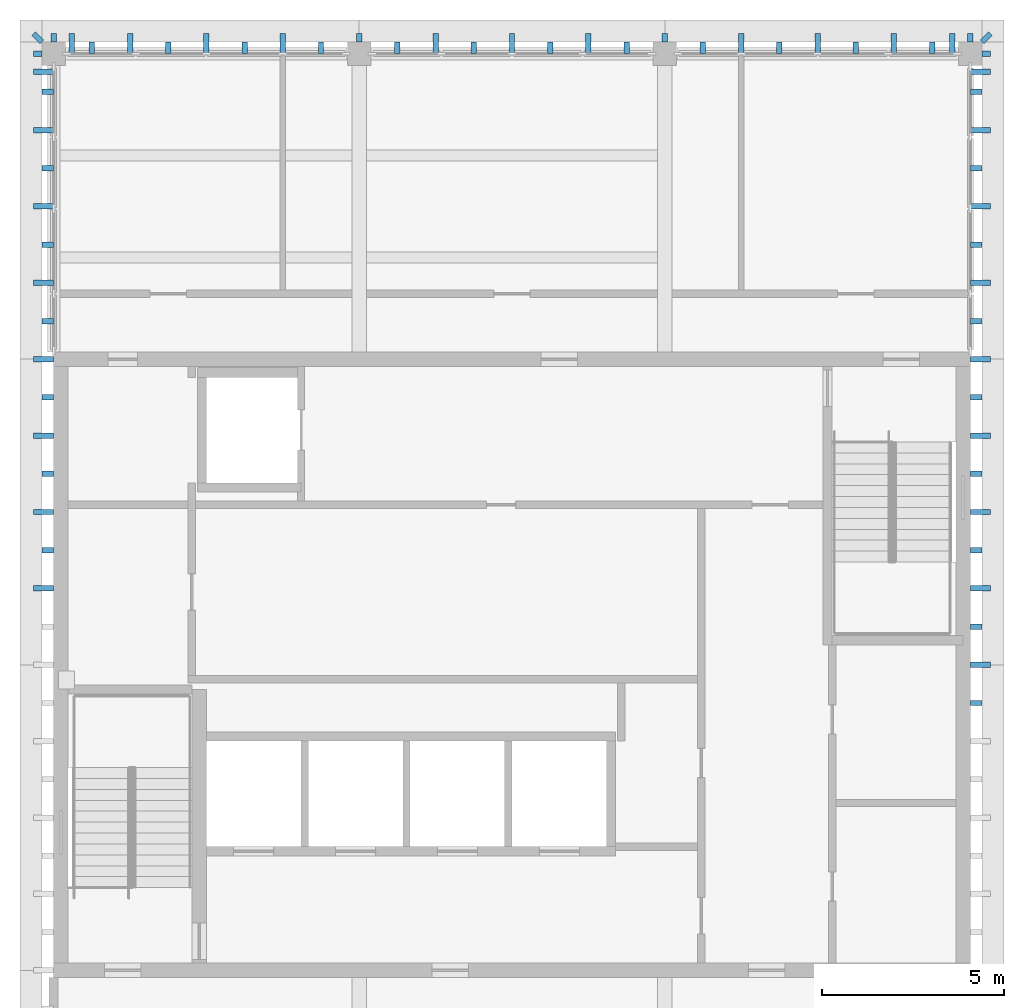
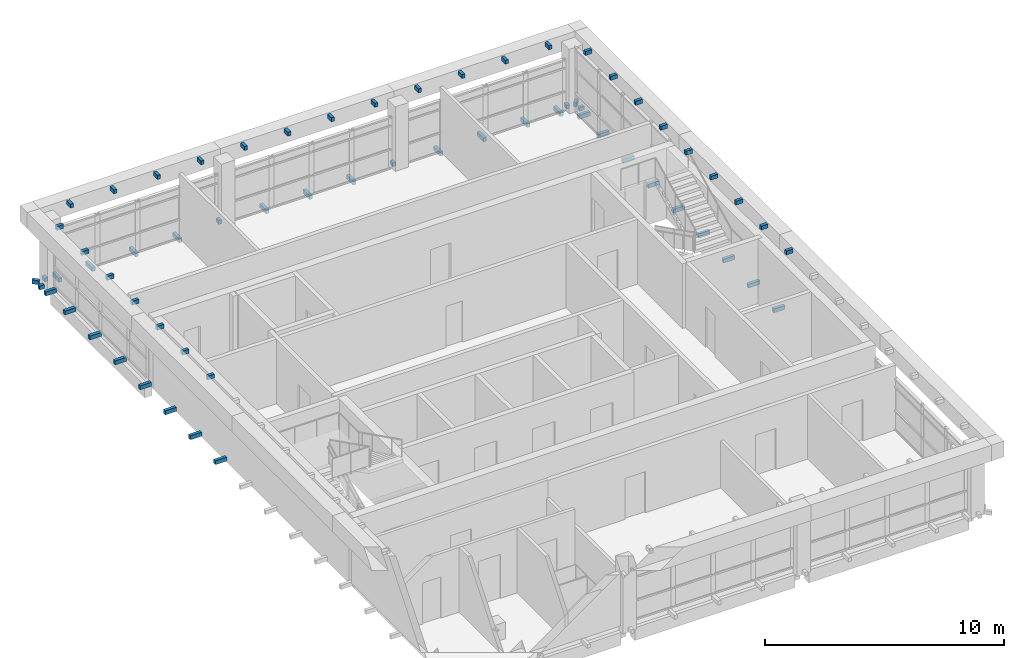
# One storey, part 8 of 10: 64 discrete accessories.
"""IFC4 building model written with IfcOpenShell, lengths in metres."""

from ifc_helpers import new_model, si_unit, direction, frame, origin, origin_2d, place, context, subcontext, project, spatial, rectangle, extrude, material, type_object, element, save


model = new_model("IFC4")

# Units and contexts
model_context = context("Model", 3, precision=1e-05, world=origin(), true_north=direction((0.0, 1.0)))
body_context = subcontext(model_context, "Body", "Model", "MODEL_VIEW")
ifc_project = project(units=[si_unit("LENGTHUNIT", "METRE"), si_unit("AREAUNIT", "SQUARE_METRE"), si_unit("VOLUMEUNIT", "CUBIC_METRE"), si_unit("PLANEANGLEUNIT", "RADIAN"), si_unit("MASSUNIT", "GRAM", prefix="KILO")], contexts=[model_context])

# Site, building, storey
site_placement = place(None, origin())
site = spatial("IfcSite", under=ifc_project, at=site_placement, CompositionType="ELEMENT")
building_placement = place(site_placement, origin())
building = spatial("IfcBuilding", under=site, at=building_placement, Name="Rulbaag Community and Learning Centre", CompositionType="ELEMENT")
storey_placement = place(building_placement, frame((0.0, 0.0, 61.199951171875)))
storey = spatial("IfcBuildingStorey", under=building, at=storey_placement, Name="L16", CompositionType="ELEMENT", Elevation=61.199951171875)

# Discrete accessories
ifc_material = material(Name="Steel E350", Category="steel")
discrete_accessory_type_1 = type_object("IfcDiscreteAccessoryType", Name="BR-DB", PredefinedType="BRACKET", material=ifc_material)
for number, where, z_axis, x_axis, name in (
    (1, (143.85009765625, 117.762451171875, 3.35009765625), (0.0, 0.0, 1.0), (1.0, 0.0, 0.0), "Crown cap band bracket"),
    (2, (145.949951171875, 117.762451171875, 3.35009765625), (0.0, 0.0, 1.0), (1.0, 0.0, 0.0), "Crown cap band bracket"),
    (3, (148.050048828125, 117.762451171875, 3.35009765625), (0.0, 0.0, 1.0), (1.0, 0.0, 0.0), "Crown cap band bracket"),
    (4, (150.14990234375, 117.762451171875, 3.35009765625), (0.0, 0.0, 1.0), (1.0, 0.0, 0.0), "Crown cap band bracket"),
    (5, (152.25, 117.762451171875, 3.35009765625), (0.0, 0.0, 1.0), (1.0, 0.0, 0.0), "Crown cap band bracket"),
    (6, (154.35009765625, 117.762451171875, 3.35009765625), (0.0, 0.0, 1.0), (1.0, 0.0, 0.0), "Crown cap band bracket"),
    (7, (156.449951171875, 117.762451171875, 3.35009765625), (0.0, 0.0, 1.0), (1.0, 0.0, 0.0), "Crown cap band bracket"),
    (8, (158.550048828125, 117.762451171875, 3.35009765625), (0.0, 0.0, 1.0), (1.0, 0.0, 0.0), "Crown cap band bracket"),
    (9, (160.64990234375, 117.762451171875, 3.35009765625), (0.0, 0.0, 1.0), (1.0, 0.0, 0.0), "Crown cap band bracket"),
    (10, (162.75, 117.762451171875, 3.35009765625), (0.0, 0.0, 1.0), (1.0, 0.0, 0.0), "Crown cap band bracket"),
    (11, (164.85009765625, 117.762451171875, 3.35009765625), (0.0, 0.0, 1.0), (1.0, 0.0, 0.0), "Crown cap band bracket"),
    (12, (166.949951171875, 117.762451171875, 3.35009765625), (0.0, 0.0, 1.0), (1.0, 0.0, 0.0), "Crown cap band bracket"),
):
    element("IfcDiscreteAccessory", number, at=place(storey_placement, frame(where, z_axis=z_axis, x_axis=x_axis)), inside=storey, type_object=discrete_accessory_type_1, Name=name, PredefinedType="BRACKET", context=body_context, shape_type="SweptSolid", body=[
        extrude(rectangle(XDim=0.14990234375, YDim=0.324951171875, at=origin_2d()), origin(), (0.0, 0.0, 1.0), 0.199951171875),
    ])
for number, where, z_axis, x_axis, name in (
    (13, (142.637451171875, 103.949951171875, 3.35009765625), (0.0, 0.0, 1.0), (1.0, 0.0, 0.0), "Crown cap band bracket"),
    (14, (142.637451171875, 106.050048828125, 3.35009765625), (0.0, 0.0, 1.0), (1.0, 0.0, 0.0), "Crown cap band bracket"),
    (15, (142.637451171875, 108.14990234375, 3.35009765625), (0.0, 0.0, 1.0), (1.0, 0.0, 0.0), "Crown cap band bracket"),
    (16, (142.637451171875, 110.25, 3.35009765625), (0.0, 0.0, 1.0), (1.0, 0.0, 0.0), "Crown cap band bracket"),
    (17, (142.637451171875, 112.35009765625, 3.35009765625), (0.0, 0.0, 1.0), (1.0, 0.0, 0.0), "Crown cap band bracket"),
    (18, (142.637451171875, 114.449951171875, 3.35009765625), (0.0, 0.0, 1.0), (1.0, 0.0, 0.0), "Crown cap band bracket"),
    (19, (142.637451171875, 116.550048828125, 3.35009765625), (0.0, 0.0, 1.0), (1.0, 0.0, 0.0), "Crown cap band bracket"),
    (20, (168.16259765625, 99.75, 3.35009765625), (0.0, 0.0, 1.0), (1.0, 0.0, 0.0), "Crown cap band bracket"),
    (21, (168.16259765625, 101.85009765625, 3.35009765625), (0.0, 0.0, 1.0), (1.0, 0.0, 0.0), "Crown cap band bracket"),
    (22, (168.16259765625, 103.949951171875, 3.35009765625), (0.0, 0.0, 1.0), (1.0, 0.0, 0.0), "Crown cap band bracket"),
    (23, (168.16259765625, 106.050048828125, 3.35009765625), (0.0, 0.0, 1.0), (1.0, 0.0, 0.0), "Crown cap band bracket"),
    (24, (168.16259765625, 108.14990234375, 3.35009765625), (0.0, 0.0, 1.0), (1.0, 0.0, 0.0), "Crown cap band bracket"),
    (25, (168.16259765625, 110.25, 3.35009765625), (0.0, 0.0, 1.0), (1.0, 0.0, 0.0), "Crown cap band bracket"),
    (26, (168.16259765625, 112.35009765625, 3.35009765625), (0.0, 0.0, 1.0), (1.0, 0.0, 0.0), "Crown cap band bracket"),
    (27, (168.16259765625, 114.449951171875, 3.35009765625), (0.0, 0.0, 1.0), (1.0, 0.0, 0.0), "Crown cap band bracket"),
    (28, (168.16259765625, 116.550048828125, 3.35009765625), (0.0, 0.0, 1.0), (1.0, 0.0, 0.0), "Crown cap band bracket"),
):
    element("IfcDiscreteAccessory", number, at=place(storey_placement, frame(where, z_axis=z_axis, x_axis=x_axis)), inside=storey, type_object=discrete_accessory_type_1, Name=name, PredefinedType="BRACKET", context=body_context, shape_type="SweptSolid", body=[
        extrude(rectangle(XDim=0.324951171875, YDim=0.14990234375, at=origin_2d()), origin(), (0.0, 0.0, 1.0), 0.199951171875),
    ])
discrete_accessory_type_2 = type_object("IfcDiscreteAccessoryType", Name="BR-FN", PredefinedType="BRACKET", material=ifc_material)
discrete_accessory_1_placement = place(storey_placement, frame((142.800048828125, 118.037353515625, -0.25), z_axis=(0.0, 0.0, 1.0), x_axis=(1.0, 0.0, 0.0)))
element("IfcDiscreteAccessory", 29, at=discrete_accessory_1_placement, inside=storey, type_object=discrete_accessory_type_2, Name="Fin arm", PredefinedType="BRACKET", context=body_context, shape_type="SweptSolid", body=[
    extrude(rectangle(XDim=0.14990234375, YDim=0.224609375, at=origin_2d()), origin(), (0.0, 0.0, 1.0), 0.199951171875),
])
for number, where, z_axis, x_axis, name in (
    (30, (143.300048828125, 117.874755859375, -0.25), (0.0, 0.0, 1.0), (1.0, 0.0, 0.0), "Fin arm"),
    (31, (144.89990234375, 117.874755859375, -0.25), (0.0, 0.0, 1.0), (1.0, 0.0, 0.0), "Fin arm"),
    (32, (147.0, 117.874755859375, -0.25), (0.0, 0.0, 1.0), (1.0, 0.0, 0.0), "Fin arm"),
    (33, (149.10009765625, 117.874755859375, -0.25), (0.0, 0.0, 1.0), (1.0, 0.0, 0.0), "Fin arm"),
):
    element("IfcDiscreteAccessory", number, at=place(storey_placement, frame(where, z_axis=z_axis, x_axis=x_axis)), inside=storey, type_object=discrete_accessory_type_2, Name=name, PredefinedType="BRACKET", context=body_context, shape_type="SweptSolid", body=[
        extrude(rectangle(XDim=0.14990234375, YDim=0.549560546875, at=origin_2d()), origin(), (0.0, 0.0, 1.0), 0.199951171875),
    ])
discrete_accessory_2_placement = place(storey_placement, frame((151.199951171875, 118.037353515625, -0.25), z_axis=(0.0, 0.0, 1.0), x_axis=(1.0, 0.0, 0.0)))
element("IfcDiscreteAccessory", 34, at=discrete_accessory_2_placement, inside=storey, type_object=discrete_accessory_type_2, Name="Fin arm", PredefinedType="BRACKET", context=body_context, shape_type="SweptSolid", body=[
    extrude(rectangle(XDim=0.14990234375, YDim=0.224609375, at=origin_2d()), origin(), (0.0, 0.0, 1.0), 0.199951171875),
])
for number, where, z_axis, x_axis, name in (
    (35, (153.300048828125, 117.874755859375, -0.25), (0.0, 0.0, 1.0), (1.0, 0.0, 0.0), "Fin arm"),
    (36, (155.39990234375, 117.874755859375, -0.25), (0.0, 0.0, 1.0), (1.0, 0.0, 0.0), "Fin arm"),
    (37, (157.5, 117.874755859375, -0.25), (0.0, 0.0, 1.0), (1.0, 0.0, 0.0), "Fin arm"),
):
    element("IfcDiscreteAccessory", number, at=place(storey_placement, frame(where, z_axis=z_axis, x_axis=x_axis)), inside=storey, type_object=discrete_accessory_type_2, Name=name, PredefinedType="BRACKET", context=body_context, shape_type="SweptSolid", body=[
        extrude(rectangle(XDim=0.14990234375, YDim=0.549560546875, at=origin_2d()), origin(), (0.0, 0.0, 1.0), 0.199951171875),
    ])
discrete_accessory_3_placement = place(storey_placement, frame((159.60009765625, 118.037353515625, -0.25), z_axis=(0.0, 0.0, 1.0), x_axis=(1.0, 0.0, 0.0)))
element("IfcDiscreteAccessory", 38, at=discrete_accessory_3_placement, inside=storey, type_object=discrete_accessory_type_2, Name="Fin arm", PredefinedType="BRACKET", context=body_context, shape_type="SweptSolid", body=[
    extrude(rectangle(XDim=0.14990234375, YDim=0.224609375, at=origin_2d()), origin(), (0.0, 0.0, 1.0), 0.199951171875),
])
for number, where, z_axis, x_axis, name in (
    (39, (161.699951171875, 117.874755859375, -0.25), (0.0, 0.0, 1.0), (1.0, 0.0, 0.0), "Fin arm"),
    (40, (163.800048828125, 117.874755859375, -0.25), (0.0, 0.0, 1.0), (1.0, 0.0, 0.0), "Fin arm"),
    (41, (165.89990234375, 117.874755859375, -0.25), (0.0, 0.0, 1.0), (1.0, 0.0, 0.0), "Fin arm"),
    (42, (167.5, 117.874755859375, -0.25), (0.0, 0.0, 1.0), (1.0, 0.0, 0.0), "Fin arm"),
):
    element("IfcDiscreteAccessory", number, at=place(storey_placement, frame(where, z_axis=z_axis, x_axis=x_axis)), inside=storey, type_object=discrete_accessory_type_2, Name=name, PredefinedType="BRACKET", context=body_context, shape_type="SweptSolid", body=[
        extrude(rectangle(XDim=0.14990234375, YDim=0.549560546875, at=origin_2d()), origin(), (0.0, 0.0, 1.0), 0.199951171875),
    ])
discrete_accessory_4_placement = place(storey_placement, frame((168.0, 118.037353515625, -0.25), z_axis=(0.0, 0.0, 1.0), x_axis=(1.0, 0.0, 0.0)))
element("IfcDiscreteAccessory", 43, at=discrete_accessory_4_placement, inside=storey, type_object=discrete_accessory_type_2, Name="Fin arm", PredefinedType="BRACKET", context=body_context, shape_type="SweptSolid", body=[
    extrude(rectangle(XDim=0.14990234375, YDim=0.224609375, at=origin_2d()), origin(), (0.0, 0.0, 1.0), 0.199951171875),
])
for number, where, z_axis, x_axis, name in (
    (44, (142.525146484375, 102.89990234375, -0.25), (0.0, 0.0, 1.0), (1.0, 0.0, 0.0), "Fin arm"),
    (45, (142.525146484375, 105.0, -0.25), (0.0, 0.0, 1.0), (1.0, 0.0, 0.0), "Fin arm"),
    (46, (142.525146484375, 107.10009765625, -0.25), (0.0, 0.0, 1.0), (1.0, 0.0, 0.0), "Fin arm"),
    (47, (142.525146484375, 109.199951171875, -0.25), (0.0, 0.0, 1.0), (1.0, 0.0, 0.0), "Fin arm"),
    (48, (142.525146484375, 111.300048828125, -0.25), (0.0, 0.0, 1.0), (1.0, 0.0, 0.0), "Fin arm"),
    (49, (142.525146484375, 113.39990234375, -0.25), (0.0, 0.0, 1.0), (1.0, 0.0, 0.0), "Fin arm"),
    (50, (142.525146484375, 115.5, -0.25), (0.0, 0.0, 1.0), (1.0, 0.0, 0.0), "Fin arm"),
    (51, (142.525146484375, 117.10009765625, -0.25), (0.0, 0.0, 1.0), (1.0, 0.0, 0.0), "Fin arm"),
):
    element("IfcDiscreteAccessory", number, at=place(storey_placement, frame(where, z_axis=z_axis, x_axis=x_axis)), inside=storey, type_object=discrete_accessory_type_2, Name=name, PredefinedType="BRACKET", context=body_context, shape_type="SweptSolid", body=[
        extrude(rectangle(XDim=0.549560546875, YDim=0.14990234375, at=origin_2d()), origin(), (0.0, 0.0, 1.0), 0.199951171875),
    ])
discrete_accessory_5_placement = place(storey_placement, frame((142.36279296875, 117.60009765625, -0.25), z_axis=(0.0, 0.0, 1.0), x_axis=(1.0, 0.0, 0.0)))
element("IfcDiscreteAccessory", 52, at=discrete_accessory_5_placement, inside=storey, type_object=discrete_accessory_type_2, Name="Fin arm", PredefinedType="BRACKET", context=body_context, shape_type="SweptSolid", body=[
    extrude(rectangle(XDim=0.224609375, YDim=0.14990234375, at=origin_2d()), origin(), (0.0, 0.0, 1.0), 0.199951171875),
])
for number, where, z_axis, x_axis, name in (
    (53, (168.27490234375, 100.800048828125, -0.25), (0.0, 0.0, 1.0), (1.0, 0.0, 0.0), "Fin arm"),
    (54, (168.27490234375, 102.89990234375, -0.25), (0.0, 0.0, 1.0), (1.0, 0.0, 0.0), "Fin arm"),
    (55, (168.27490234375, 105.0, -0.25), (0.0, 0.0, 1.0), (1.0, 0.0, 0.0), "Fin arm"),
    (56, (168.27490234375, 107.10009765625, -0.25), (0.0, 0.0, 1.0), (1.0, 0.0, 0.0), "Fin arm"),
    (57, (168.27490234375, 109.199951171875, -0.25), (0.0, 0.0, 1.0), (1.0, 0.0, 0.0), "Fin arm"),
    (58, (168.27490234375, 111.300048828125, -0.25), (0.0, 0.0, 1.0), (1.0, 0.0, 0.0), "Fin arm"),
    (59, (168.27490234375, 113.39990234375, -0.25), (0.0, 0.0, 1.0), (1.0, 0.0, 0.0), "Fin arm"),
    (60, (168.27490234375, 115.5, -0.25), (0.0, 0.0, 1.0), (1.0, 0.0, 0.0), "Fin arm"),
    (61, (168.27490234375, 117.10009765625, -0.25), (0.0, 0.0, 1.0), (1.0, 0.0, 0.0), "Fin arm"),
):
    element("IfcDiscreteAccessory", number, at=place(storey_placement, frame(where, z_axis=z_axis, x_axis=x_axis)), inside=storey, type_object=discrete_accessory_type_2, Name=name, PredefinedType="BRACKET", context=body_context, shape_type="SweptSolid", body=[
        extrude(rectangle(XDim=0.549560546875, YDim=0.14990234375, at=origin_2d()), origin(), (0.0, 0.0, 1.0), 0.199951171875),
    ])
discrete_accessory_6_placement = place(storey_placement, frame((168.437255859375, 117.60009765625, -0.25), z_axis=(0.0, 0.0, 1.0), x_axis=(1.0, 0.0, 0.0)))
element("IfcDiscreteAccessory", 62, at=discrete_accessory_6_placement, inside=storey, type_object=discrete_accessory_type_2, Name="Fin arm", PredefinedType="BRACKET", context=body_context, shape_type="SweptSolid", body=[
    extrude(rectangle(XDim=0.224609375, YDim=0.14990234375, at=origin_2d()), origin(), (0.0, 0.0, 1.0), 0.199951171875),
])
for number, where, z_axis, x_axis, name in (
    (63, (142.36279296875, 118.037353515625, -0.25), (0.0, 0.0, 1.0), (-0.707106781187, 0.707106781187, 0.0), "Fin arm"),
    (64, (168.437255859375, 118.037353515625, -0.25), (0.0, 0.0, 1.0), (0.707106781187, 0.707106781187, 0.0), "Fin arm"),
):
    element("IfcDiscreteAccessory", number, at=place(storey_placement, frame(where, z_axis=z_axis, x_axis=x_axis)), inside=storey, type_object=discrete_accessory_type_2, Name=name, PredefinedType="BRACKET", context=body_context, shape_type="SweptSolid", body=[
        extrude(rectangle(XDim=0.317626953125, YDim=0.14990234375, at=origin_2d()), origin(), (0.0, 0.0, 1.0), 0.199951171875),
    ])

save(model, "model.ifc")
